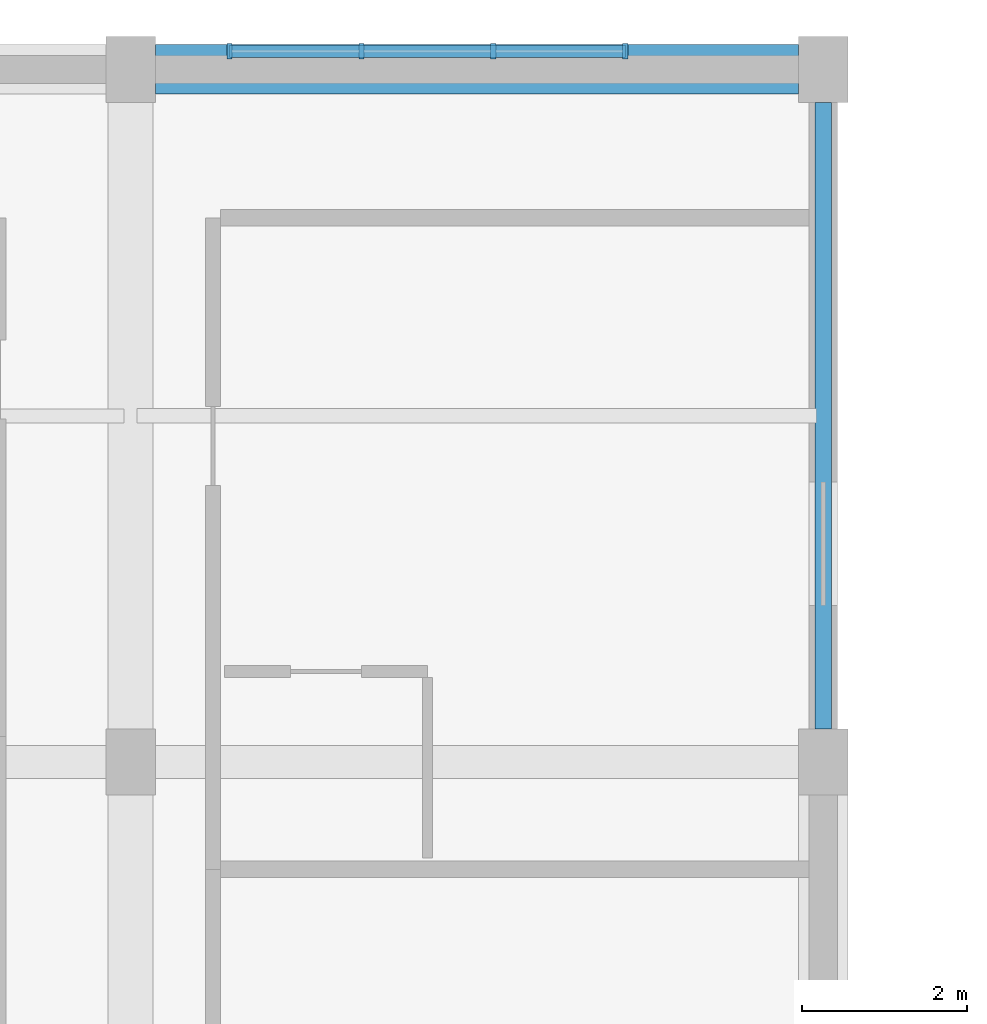
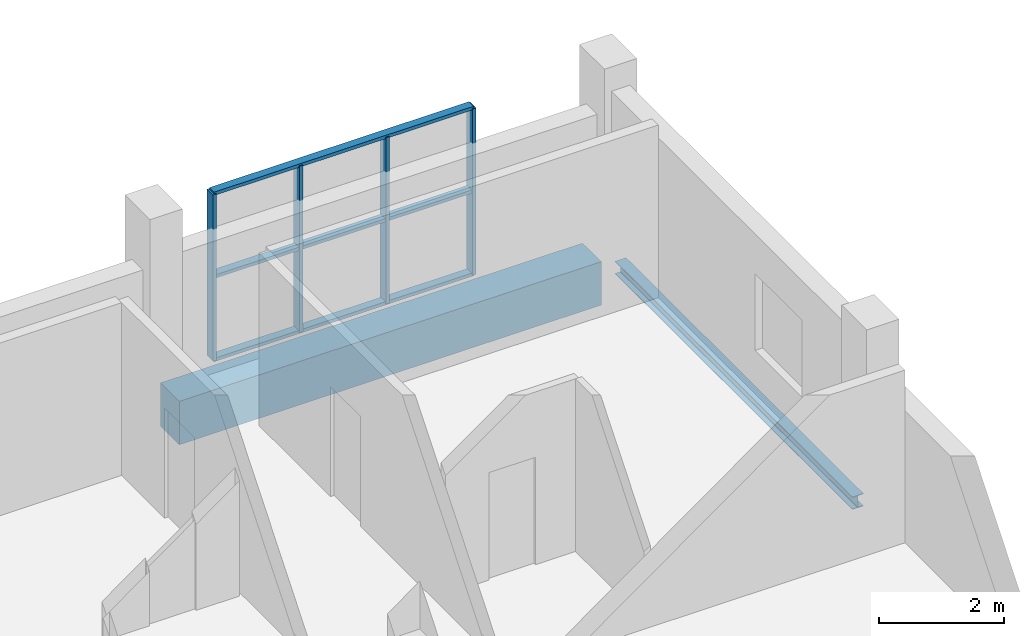
# One storey, part 6 of 26: 7 members, 2 beams, 1 element without a shape of its own.
"""IFC4 building model written with IfcOpenShell, lengths in metres."""

from ifc_helpers import new_model, si_unit, derived_unit, direction, frame, origin, origin_2d, place, context, subcontext, project, spatial, rectangle, i_section, extrude, material, material_profile, profile_set, type_object, element, aggregate, save


model = new_model("IFC4")

# Units and contexts
model_context = context("Model", 3, precision=1e-05, world=origin(), true_north=direction((0.0, 1.0)))
body_context = subcontext(model_context, "Body", "Model", "MODEL_VIEW")
ifc_project = project(units=[si_unit("LENGTHUNIT", "METRE"), si_unit("AREAUNIT", "SQUARE_METRE"), si_unit("VOLUMEUNIT", "CUBIC_METRE"), si_unit("PLANEANGLEUNIT", "RADIAN"), si_unit("MASSUNIT", "GRAM", prefix="KILO"), derived_unit("THERMALTRANSMITTANCEUNIT", [(si_unit("POWERUNIT", "WATT"), 1), (si_unit("LENGTHUNIT", "METRE"), -2), (si_unit("THERMODYNAMICTEMPERATUREUNIT", "KELVIN"), -1)])], contexts=[model_context])

# Site, building, storey
site_placement = place(None, origin())
site = spatial("IfcSite", under=ifc_project, at=site_placement, CompositionType="ELEMENT")
building_placement = place(site_placement, origin())
building = spatial("IfcBuilding", under=site, at=building_placement, Name="Barrovel Congress Hotel", CompositionType="ELEMENT")
storey_placement = place(building_placement, frame((0.0, 0.0, 21.89990234375)))
storey = spatial("IfcBuildingStorey", under=building, at=storey_placement, Name="L05", CompositionType="ELEMENT", Elevation=21.89990234375)

# Beam
ifc_material_1 = material(Name="Concrete C40", Category="concrete")
ifc_material_profile_1 = material_profile(ifc_material_1, rectangle(XDim=0.60009765625, YDim=0.85009765625, at=origin_2d()), Name="RC600x850")
ifc_profile_set_1 = profile_set([ifc_material_profile_1], Name="Concrete C40")
beam_type_1 = type_object("IfcBeamType", Name="BM-RC600x850", PredefinedType="BEAM", material=ifc_profile_set_1)
beam_1_placement = place(storey_placement, frame((42.300048828125, 79.800048828125, -0.64501953125), z_axis=(1.0, 0.0, 0.0), x_axis=(0.0, 1.0, 0.0)))
element("IfcBeam", 1, at=beam_1_placement, inside=storey, type_object=beam_type_1, Name="BMX:L05:79.8:42.0-50.4", PredefinedType="BEAM", context=body_context, shape_type="SweptSolid", body=[
    extrude(rectangle(XDim=0.60009765625, YDim=0.85009765625, at=origin_2d()), origin(), (0.0, 0.0, 1.0), 7.800048828125),
])

# Curtain wall, members
ifc_material_2 = material(Name="Anodised Aluminium Alloy 6063-T6", Category="aluminium")
curtain_wall_type = type_object("IfcCurtainWallType", Name="CW-UN-4800x3200", PredefinedType="USERDEFINED", material=ifc_material_2)
curtain_wall_placement = place(storey_placement, origin())
curtain_wall = element("IfcCurtainWall", 2, at=curtain_wall_placement, inside=storey, type_object=curtain_wall_type, Name="CW:L05:UN-2", ObjectType="UNITISED CURTAIN WALL", PredefinedType="USERDEFINED")
ifc_material_profile_2 = material_profile(ifc_material_2, rectangle(XDim=0.06494140625, YDim=0.18994140625, at=origin_2d()), Name="AL-M65x190")
ifc_profile_set_2 = profile_set([ifc_material_profile_2], Name="Anodised Aluminium Alloy 6063-T6")
member_type_1 = type_object("IfcMemberType", Name="CWM-AL-M65x190", PredefinedType="MULLION", material=ifc_profile_set_2)
member_1_placement = place(storey_placement, frame((43.199951171875, 80.02001953125, 0.0), z_axis=(0.0, 0.0, 1.0), x_axis=(1.0, 0.0, 0.0)))
member_1 = element("IfcMember", 3, at=member_1_placement, type_object=member_type_1, Name="CW:L05:UN-2:M0", PredefinedType="MULLION", context=body_context, shape_type="SweptSolid", body=[
    extrude(rectangle(XDim=0.06494140625, YDim=0.18994140625, at=origin_2d()), origin(), (0.0, 0.0, 1.0), 3.25),
])
member_2_placement = place(storey_placement, frame((44.800048828125, 80.02001953125, 0.0), z_axis=(0.0, 0.0, 1.0), x_axis=(1.0, 0.0, 0.0)))
member_2 = element("IfcMember", 4, at=member_2_placement, type_object=member_type_1, Name="CW:L05:UN-2:M1", PredefinedType="MULLION", context=body_context, shape_type="SweptSolid", body=[
    extrude(rectangle(XDim=0.06494140625, YDim=0.18994140625, at=origin_2d()), origin(), (0.0, 0.0, 1.0), 3.25),
])
member_3_placement = place(storey_placement, frame((46.39990234375, 80.02001953125, 0.0), z_axis=(0.0, 0.0, 1.0), x_axis=(1.0, 0.0, 0.0)))
member_3 = element("IfcMember", 5, at=member_3_placement, type_object=member_type_1, Name="CW:L05:UN-2:M2", PredefinedType="MULLION", context=body_context, shape_type="SweptSolid", body=[
    extrude(rectangle(XDim=0.06494140625, YDim=0.18994140625, at=origin_2d()), origin(), (0.0, 0.0, 1.0), 3.25),
])
member_4_placement = place(storey_placement, frame((48.0, 80.02001953125, 0.0), z_axis=(0.0, 0.0, 1.0), x_axis=(1.0, 0.0, 0.0)))
member_4 = element("IfcMember", 6, at=member_4_placement, type_object=member_type_1, Name="CW:L05:UN-2:M3", PredefinedType="MULLION", context=body_context, shape_type="SweptSolid", body=[
    extrude(rectangle(XDim=0.06494140625, YDim=0.18994140625, at=origin_2d()), origin(), (0.0, 0.0, 1.0), 3.25),
])
ifc_material_profile_3 = material_profile(ifc_material_2, rectangle(XDim=0.14990234375, YDim=0.06494140625, at=origin_2d()), Name="AL-T65x150")
ifc_profile_set_3 = profile_set([ifc_material_profile_3], Name="Anodised Aluminium Alloy 6063-T6")
member_type_2 = type_object("IfcMemberType", Name="CWT-AL-T65x150", PredefinedType="USERDEFINED", material=ifc_profile_set_3)
member_5_placement = place(storey_placement, frame((43.199951171875, 80.02001953125, 0.0), z_axis=(1.0, 0.0, 0.0), x_axis=(0.0, 1.0, 0.0)))
member_5 = element("IfcMember", 7, at=member_5_placement, type_object=member_type_2, Name="CW:L05:UN-2:T0", ObjectType="TRANSOM", PredefinedType="USERDEFINED", context=body_context, shape_type="SweptSolid", body=[
    extrude(rectangle(XDim=0.14990234375, YDim=0.06494140625, at=origin_2d()), origin(), (0.0, 0.0, 1.0), 4.800048828125),
])
member_6_placement = place(storey_placement, frame((43.199951171875, 80.02001953125, 1.625), z_axis=(1.0, 0.0, 0.0), x_axis=(0.0, 1.0, 0.0)))
member_6 = element("IfcMember", 8, at=member_6_placement, type_object=member_type_2, Name="CW:L05:UN-2:T1", ObjectType="TRANSOM", PredefinedType="USERDEFINED", context=body_context, shape_type="SweptSolid", body=[
    extrude(rectangle(XDim=0.14990234375, YDim=0.06494140625, at=origin_2d()), origin(), (0.0, 0.0, 1.0), 4.800048828125),
])
member_7_placement = place(storey_placement, frame((43.199951171875, 80.02001953125, 3.25), z_axis=(1.0, 0.0, 0.0), x_axis=(0.0, 1.0, 0.0)))
member_7 = element("IfcMember", 9, at=member_7_placement, type_object=member_type_2, Name="CW:L05:UN-2:T2", ObjectType="TRANSOM", PredefinedType="USERDEFINED", context=body_context, shape_type="SweptSolid", body=[
    extrude(rectangle(XDim=0.14990234375, YDim=0.06494140625, at=origin_2d()), origin(), (0.0, 0.0, 1.0), 4.800048828125),
])
aggregate(curtain_wall, [member_1, member_2, member_3, member_4, member_5, member_6, member_7])

# Beam
ifc_material_3 = material(Name="Steel ASTM A992 Grade 50", Category="steel")
ifc_material_profile_4 = material_profile(ifc_material_3, i_section(OverallWidth=0.201904296875, OverallDepth=0.2470703125, WebThickness=0.00732421875, FlangeThickness=0.010986328125, FilletRadius=0.011962890625, at=origin_2d()), Name="W250x49")
ifc_profile_set_4 = profile_set([ifc_material_profile_4], Name="Steel ASTM A992 Grade 50")
beam_type_2 = type_object("IfcBeamType", Name="SBM-W250x49", PredefinedType="SPANDREL", material=ifc_profile_set_4)
beam_2_placement = place(storey_placement, frame((50.39990234375, 71.800048828125, -0.343505859375), z_axis=(0.0, 1.0, 0.0), x_axis=(-1.0, 0.0, 0.0)))
element("IfcBeam", 10, at=beam_2_placement, inside=storey, type_object=beam_type_2, Name="BMY:L05:50.4:71.4-79.8", PredefinedType="SPANDREL", context=body_context, shape_type="SweptSolid", body=[
    extrude(i_section(OverallWidth=0.201904296875, OverallDepth=0.2470703125, WebThickness=0.00732421875, FlangeThickness=0.010986328125, FilletRadius=0.011962890625, at=origin_2d()), origin(), (0.0, 0.0, 1.0), 7.599853515625),
])

save(model, "model.ifc")
